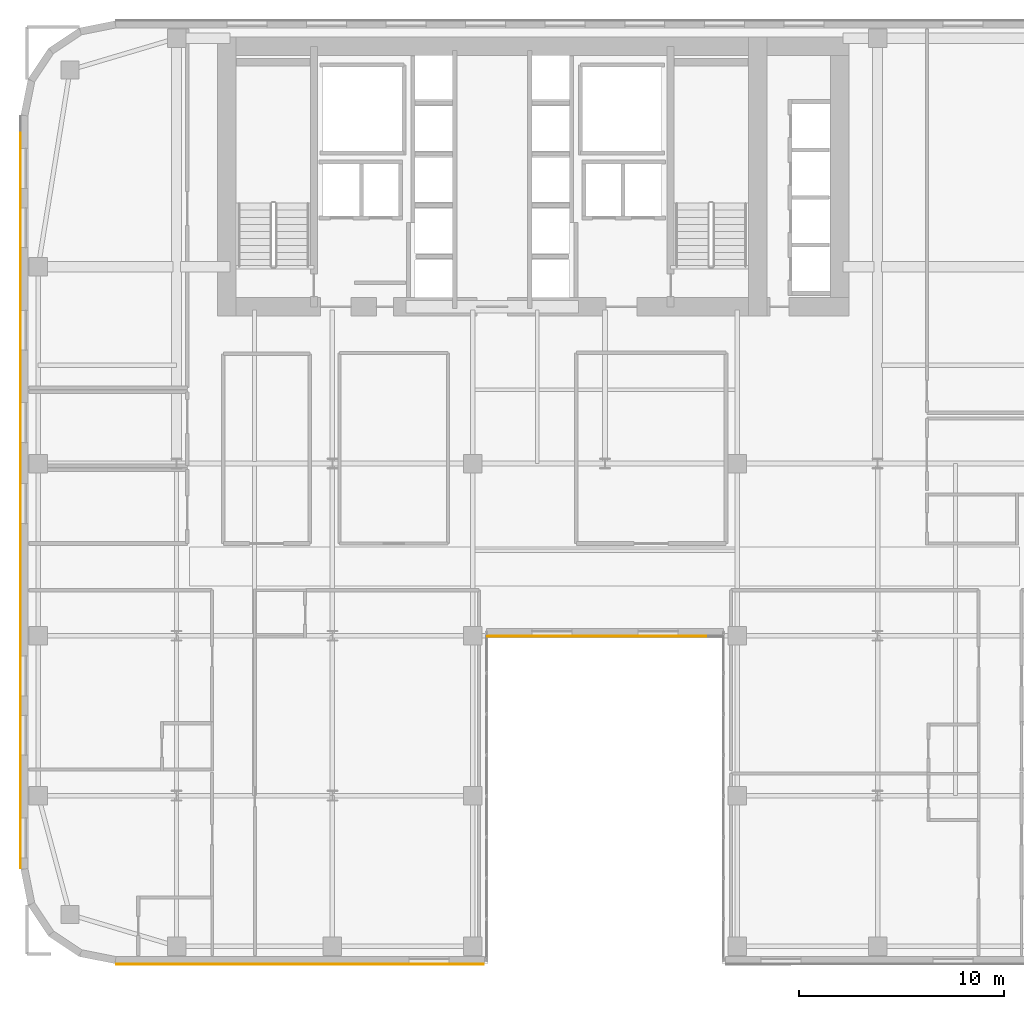
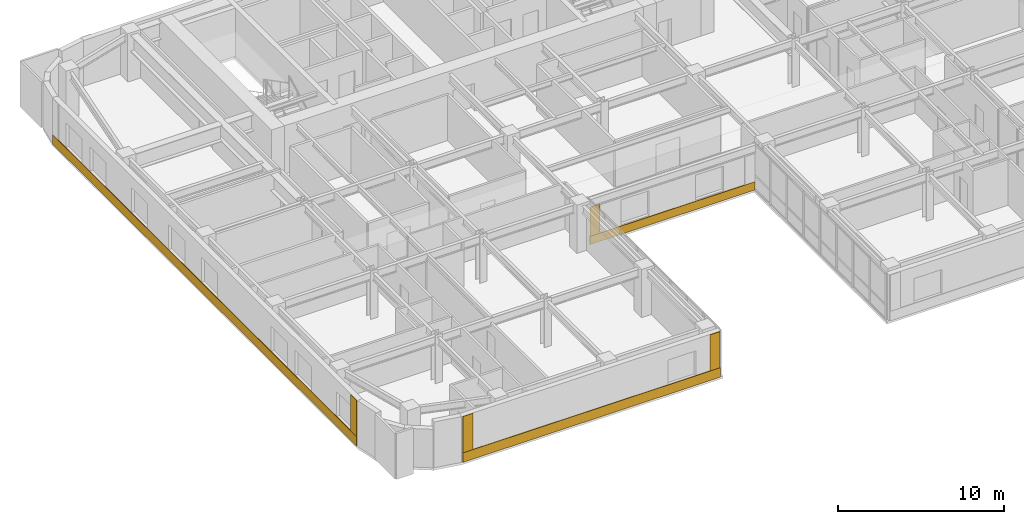
# One storey, part 19 of 24: 7 coverings.
"""IFC4 building model written with IfcOpenShell, lengths in metres."""

from ifc_helpers import new_model, si_unit, direction, frame, origin, place, context, subcontext, project, spatial, polyline, outline, extrude, material, layer, layer_set, type_object, element, save


model = new_model("IFC4")

# Units and contexts
model_context = context("Model", 3, precision=1e-05, world=origin(), true_north=direction((0.0, 1.0)))
body_context = subcontext(model_context, "Body", "Model", "MODEL_VIEW")
ifc_project = project(units=[si_unit("LENGTHUNIT", "METRE"), si_unit("AREAUNIT", "SQUARE_METRE"), si_unit("VOLUMEUNIT", "CUBIC_METRE"), si_unit("PLANEANGLEUNIT", "RADIAN"), si_unit("MASSUNIT", "GRAM", prefix="KILO")], contexts=[model_context])

# Site, building, storey
site_placement = place(None, origin())
site = spatial("IfcSite", under=ifc_project, at=site_placement, CompositionType="ELEMENT")
building_placement = place(site_placement, origin())
building = spatial("IfcBuilding", under=site, at=building_placement, Name="Tolvann Quenvar Hotel", CompositionType="ELEMENT")
storey_placement = place(building_placement, frame((0.0, 0.0, 88.800048828125)))
storey = spatial("IfcBuildingStorey", under=building, at=storey_placement, Name="L22", CompositionType="ELEMENT", Elevation=88.800048828125)

# Coverings
ifc_material_1 = material(Name="Kiln-fired red architectural face brick cladding", Category="masonry")
ifc_layer_1 = layer(ifc_material_1, 0.0400390625)
ifc_layer_set_1 = layer_set([ifc_layer_1], Name="Kiln-fired red architectural face brick cladding")
covering_type_1 = type_object("IfcCoveringType", Name="COV_CLAD_BRICK_40", PredefinedType="CLADDING", material=ifc_layer_set_1)
covering_1_placement = place(storey_placement, frame((0.0, 0.0, 0.699951171875)))
element("IfcCovering", 1, at=covering_1_placement, inside=storey, type_object=covering_type_1, Name="Brick Pier Cladding (L22-E04-P1)", PredefinedType="CLADDING", context=body_context, shape_type="SweptSolid", body=[
    extrude(outline(polyline([(4.667236328125, 0.0), (5.3671875, 0.0), (5.3671875, -0.0400390625), (4.667236328125, -0.0400390625), (4.667236328125, 0.0)])), origin(), (0.0, 0.0, 1.0), 2.669921875),
])
covering_2_placement = place(storey_placement, frame((0.0, 0.0, 0.699951171875)))
element("IfcCovering", 2, at=covering_2_placement, inside=storey, type_object=covering_type_1, Name="Brick Pier Cladding (L22-E04-P2)", PredefinedType="CLADDING", context=body_context, shape_type="SweptSolid", body=[
    extrude(outline(polyline([(21.875, 0.0), (22.574951171875, 0.0), (22.574951171875, -0.0400390625), (21.875, -0.0400390625), (21.875, 0.0)])), origin(), (0.0, 0.0, 1.0), 2.669921875),
])
covering_3_placement = place(storey_placement, frame((0.0, 0.0, 0.6044921875)))
element("IfcCovering", 3, at=covering_3_placement, inside=storey, type_object=covering_type_1, Name="Brick Pier Cladding (L22-E06-P1)", PredefinedType="CLADDING", context=body_context, shape_type="SweptSolid", body=[
    extrude(outline(polyline([(22.760009765625, 16.0), (23.4599609375, 16.0), (23.4599609375, 15.9599609375), (22.760009765625, 15.9599609375), (22.760009765625, 16.0)])), origin(), (0.0, 0.0, 1.0), 2.1435546875),
])
covering_4_placement = place(storey_placement, frame((0.0, 0.0, 0.699951171875)))
element("IfcCovering", 4, at=covering_4_placement, inside=storey, type_object=covering_type_1, Name="Brick Pier Cladding (L22-E23-P2)", PredefinedType="CLADDING", context=body_context, shape_type="SweptSolid", body=[
    extrude(outline(polyline([(0.0, 5.3671875), (0.0, 4.667236328125), (-0.0400390625, 4.667236328125), (-0.0400390625, 5.3671875), (0.0, 5.3671875)])), origin(), (0.0, 0.0, 1.0), 2.669921875),
])
ifc_material_2 = material(Name="Moulded buff architectural terracotta spandrel cladding", Category="masonry")
ifc_layer_2 = layer(ifc_material_2, 0.0400390625)
ifc_layer_set_2 = layer_set([ifc_layer_2], Name="Moulded buff architectural terracotta spandrel cladding")
covering_type_2 = type_object("IfcCoveringType", Name="COV_CLAD_TERRA_40", PredefinedType="CLADDING", material=ifc_layer_set_2)
covering_5_placement = place(storey_placement, origin())
element("IfcCovering", 5, at=covering_5_placement, inside=storey, type_object=covering_type_2, Name="Terracotta Spandrel Cladding (L22-E04)", PredefinedType="CLADDING", context=body_context, shape_type="SweptSolid", body=[
    extrude(outline(polyline([(4.6572265625, 0.0), (22.5849609375, 0.0), (22.5849609375, -0.0400390625), (4.6572265625, -0.0400390625), (4.6572265625, 0.0)])), origin(), (0.0, 0.0, 1.0), 0.699951171875),
])
covering_6_placement = place(storey_placement, origin())
element("IfcCovering", 6, at=covering_6_placement, inside=storey, type_object=covering_type_2, Name="Terracotta Spandrel Cladding (L22-E06)", PredefinedType="CLADDING", context=body_context, shape_type="SweptSolid", body=[
    extrude(outline(polyline([(22.75, 16.0), (34.25, 16.0), (34.25, 15.9599609375), (22.75, 15.9599609375), (22.75, 16.0)])), origin(), (0.0, 0.0, 1.0), 0.6044921875),
])
covering_7_placement = place(storey_placement, origin())
element("IfcCovering", 7, at=covering_7_placement, inside=storey, type_object=covering_type_2, Name="Terracotta Spandrel Cladding (L22-E23)", PredefinedType="CLADDING", context=body_context, shape_type="SweptSolid", body=[
    extrude(outline(polyline([(0.0, 41.3427734375), (0.0, 4.6572265625), (-0.0400390625, 4.6572265625), (-0.0400390625, 41.3427734375), (0.0, 41.3427734375)])), origin(), (0.0, 0.0, 1.0), 0.699951171875),
])

save(model, "model.ifc")
